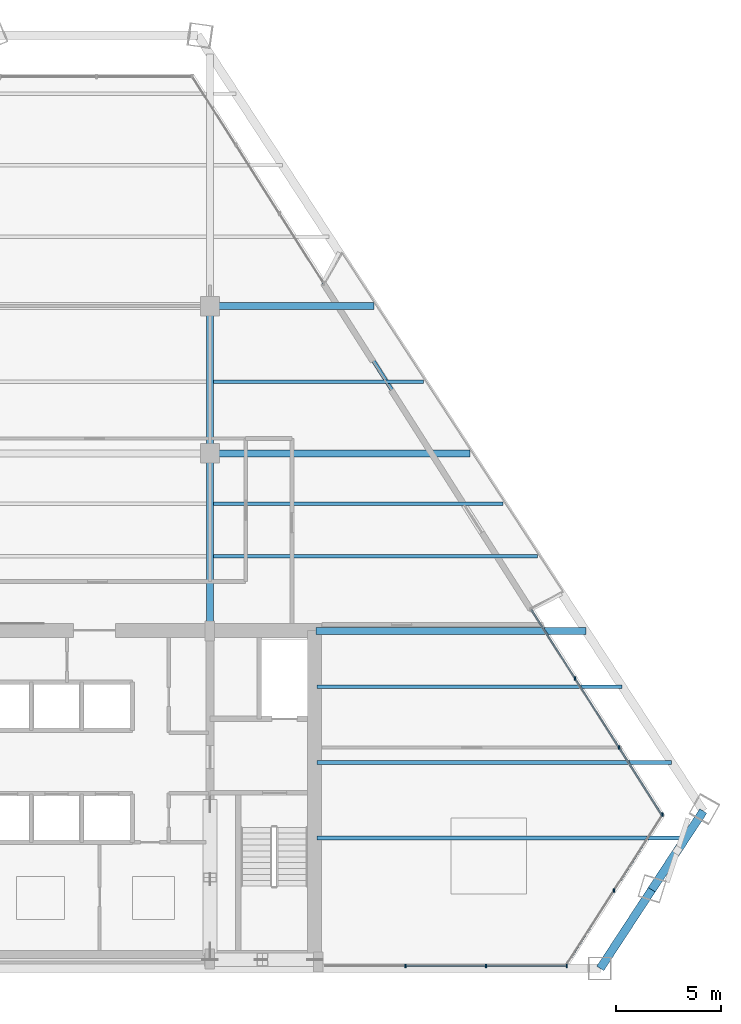
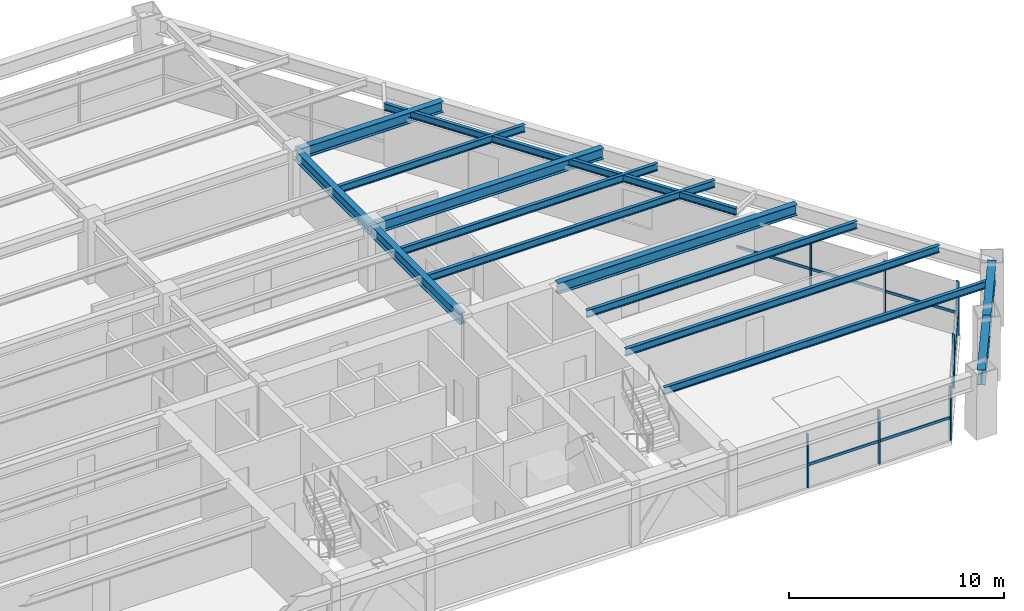
# One storey, part 6 of 15: 14 beams, 14 members, 3 elements without a shape of their own.
"""IFC4 building model written with IfcOpenShell, lengths in metres."""

from ifc_helpers import new_model, si_unit, direction, frame, origin, origin_2d, place, context, subcontext, project, spatial, rectangle, i_section, extrude, source, transform, mapped, material, material_profile, profile_set, type_object, type_shapes, element, aggregate, save


model = new_model("IFC4")

# Units and contexts
model_context = context("Model", 3, precision=1e-05, world=origin(), true_north=direction((0.0, 1.0)))
body_context = subcontext(model_context, "Body", "Model", "MODEL_VIEW")
ifc_project = project(units=[si_unit("LENGTHUNIT", "METRE"), si_unit("AREAUNIT", "SQUARE_METRE"), si_unit("VOLUMEUNIT", "CUBIC_METRE"), si_unit("PLANEANGLEUNIT", "RADIAN"), si_unit("MASSUNIT", "GRAM", prefix="KILO")], contexts=[model_context])

# Site, building, storey
site_placement = place(None, origin())
site = spatial("IfcSite", under=ifc_project, at=site_placement, CompositionType="ELEMENT")
building_placement = place(site_placement, origin())
building = spatial("IfcBuilding", under=site, at=building_placement, Name="Varnakhor Terracotta Tower", CompositionType="ELEMENT")
storey_placement = place(building_placement, frame((0.0, 0.0, 155.199951171875)))
storey = spatial("IfcBuildingStorey", under=building, at=storey_placement, Name="L39", CompositionType="ELEMENT", Elevation=155.199951171875)

# Beams
ifc_material_1 = material(Name="Steel S355", Category="steel")
ifc_material_profile_1 = material_profile(ifc_material_1, i_section(OverallWidth=0.324951171875, OverallDepth=0.615966796875, WebThickness=0.013916015625, FlangeThickness=0.02197265625, FilletRadius=0.01806640625, at=origin_2d()), Name="W24X117")
ifc_profile_set_1 = profile_set([ifc_material_profile_1], Name="Steel S355")
beam_type_1 = type_object("IfcBeamType", Name="BM-W24X117", PredefinedType="BEAM", material=ifc_profile_set_1)
shared_shape_1 = source(origin(), body_context, "Body", "SweptSolid", [
    extrude(i_section(OverallWidth=0.324951171875, OverallDepth=0.615966796875, WebThickness=0.013916015625, FlangeThickness=0.02197265625, FilletRadius=0.01806640625, at=origin_2d()), origin(), (0.0, 0.0, 1.0), 8.449951171875),
])
type_shapes(beam_type_1, [shared_shape_1])
beam_1_placement = place(storey_placement, frame((5.5, 16.050048828125, 3.162109375), z_axis=(0.0, 1.0, 0.0), x_axis=(-1.0, 0.0, 0.0)))
element("IfcBeam", 1, at=beam_1_placement, inside=storey, type_object=beam_type_1, Name="L39 Primary Girder NS1-E", PredefinedType="BEAM", context=body_context, shape_type="MappedRepresentation", body=[
    mapped(shared_shape_1, transform((0.0, 0.0, 0.0), scale=1.0)),
])
shared_shape_2 = source(origin(), body_context, "Body", "SweptSolid", [
    extrude(i_section(OverallWidth=0.324951171875, OverallDepth=0.615966796875, WebThickness=0.013916015625, FlangeThickness=0.02197265625, FilletRadius=0.01806640625, at=origin_2d()), origin(), (0.0, 0.0, 1.0), 7.0),
])
beam_2_placement = place(storey_placement, frame((5.5, 24.5, 3.162109375), z_axis=(0.0, 1.0, 0.0), x_axis=(-1.0, 0.0, 0.0)))
element("IfcBeam", 2, at=beam_2_placement, inside=storey, type_object=beam_type_1, Name="L39 Primary Girder NS2-E", PredefinedType="BEAM", context=body_context, shape_type="MappedRepresentation", body=[
    mapped(shared_shape_2, transform((0.0, 0.0, 0.0), scale=1.0)),
])
ifc_material_profile_2 = material_profile(ifc_material_1, i_section(OverallWidth=0.39990234375, OverallDepth=0.85498046875, WebThickness=0.01806640625, FlangeThickness=0.029052734375, FilletRadius=0.01806640625, at=origin_2d()), Name="W33X201")
ifc_profile_set_2 = profile_set([ifc_material_profile_2], Name="Steel S355")
beam_type_2 = type_object("IfcBeamType", Name="BM-W33X201", PredefinedType="BEAM", material=ifc_profile_set_2)
shared_shape_3 = source(origin(), body_context, "Body", "SweptSolid", [
    extrude(i_section(OverallWidth=0.39990234375, OverallDepth=0.85498046875, WebThickness=0.01806640625, FlangeThickness=0.029052734375, FilletRadius=0.01806640625, at=origin_2d()), origin(), (0.0, 0.0, 1.0), 4.472900390625),
])
beam_3_placement = place(storey_placement, frame((24.063720703125, 0.0, 3.04248046875), z_axis=(0.547740459229, 0.836648306832, 0.0), x_axis=(-0.836648306832, 0.547740459229, 0.0)))
element("IfcBeam", 3, at=beam_3_placement, inside=storey, type_object=beam_type_2, Name="L39 Perimeter Spandrel 2", PredefinedType="BEAM", context=body_context, shape_type="MappedRepresentation", body=[
    mapped(shared_shape_3, transform((0.0, 0.0, 0.0), scale=1.0)),
])
shared_shape_4 = source(origin(), body_context, "Body", "SweptSolid", [
    extrude(i_section(OverallWidth=0.39990234375, OverallDepth=0.85498046875, WebThickness=0.01806640625, FlangeThickness=0.029052734375, FilletRadius=0.01806640625, at=origin_2d()), origin(), (0.0, 0.0, 1.0), 4.47265625),
])
beam_4_placement = place(storey_placement, frame((26.513671875, 3.7421875, 3.04248046875), z_axis=(0.547702250482, 0.836673320249, 0.0), x_axis=(-0.836673320249, 0.547702250482, 0.0)))
element("IfcBeam", 4, at=beam_4_placement, inside=storey, type_object=beam_type_2, Name="L39 Perimeter Spandrel 3", PredefinedType="BEAM", context=body_context, shape_type="MappedRepresentation", body=[
    mapped(shared_shape_4, transform((0.0, 0.0, 0.0), scale=1.0)),
])
ifc_material_profile_3 = material_profile(ifc_material_1, i_section(OverallWidth=0.179931640625, OverallDepth=0.39990234375, WebThickness=0.008544921875, FlangeThickness=0.013427734375, FilletRadius=0.01806640625, at=origin_2d()), Name="IPE400")
ifc_profile_set_3 = profile_set([ifc_material_profile_3], Name="Steel S355")
beam_type_3 = type_object("IfcBeamType", Name="JST-IPE400", PredefinedType="JOIST", material=ifc_profile_set_3)
shared_shape_5 = source(origin(), body_context, "Body", "SweptSolid", [
    extrude(i_section(OverallWidth=0.179931640625, OverallDepth=0.39990234375, WebThickness=0.008544921875, FlangeThickness=0.013427734375, FilletRadius=0.01806640625, at=origin_2d()), origin(), (0.0, 0.0, 1.0), 18.443359375),
])
beam_5_placement = place(storey_placement, frame((20.785400390625, 17.078857421875, 3.27001953125), z_axis=(-0.536444584594, 0.8439355471, 0.0), x_axis=(-0.8439355471, -0.536444584594, 0.0)))
element("IfcBeam", 5, at=beam_5_placement, inside=storey, type_object=beam_type_3, Name="L39 Loggia Edge Beam 1", PredefinedType="JOIST", context=body_context, shape_type="MappedRepresentation", body=[
    mapped(shared_shape_5, transform((0.0, 0.0, 0.0), scale=1.0)),
])
shared_shape_6 = source(origin(), body_context, "Body", "SweptSolid", [
    extrude(i_section(OverallWidth=0.324951171875, OverallDepth=0.615966796875, WebThickness=0.013916015625, FlangeThickness=0.02197265625, FilletRadius=0.01806640625, at=origin_2d()), origin(), (0.0, 0.0, 1.0), 12.8310546875),
])
beam_6_placement = place(storey_placement, frame((10.550048828125, 16.050048828125, 3.162109375), z_axis=(1.0, 0.0, 0.0), x_axis=(0.0, 1.0, 0.0)))
element("IfcBeam", 6, at=beam_6_placement, inside=storey, type_object=beam_type_1, Name="L39 Wing Girder E", PredefinedType="BEAM", context=body_context, shape_type="MappedRepresentation", body=[
    mapped(shared_shape_6, transform((0.0, 0.0, 0.0), scale=1.0)),
])
shared_shape_7 = source(origin(), body_context, "Body", "SweptSolid", [
    extrude(i_section(OverallWidth=0.324951171875, OverallDepth=0.615966796875, WebThickness=0.013916015625, FlangeThickness=0.02197265625, FilletRadius=0.01806640625, at=origin_2d()), origin(), (0.0, 0.0, 1.0), 12.3740234375),
])
beam_7_placement = place(storey_placement, frame((5.5, 24.5, 3.162109375), z_axis=(1.0, 0.0, 0.0), x_axis=(0.0, 1.0, 0.0)))
element("IfcBeam", 7, at=beam_7_placement, inside=storey, type_object=beam_type_1, Name="L39 Primary Girder EW2-3", PredefinedType="BEAM", context=body_context, shape_type="MappedRepresentation", body=[
    mapped(shared_shape_7, transform((0.0, 0.0, 0.0), scale=1.0)),
])
shared_shape_8 = source(origin(), body_context, "Body", "SweptSolid", [
    extrude(i_section(OverallWidth=0.324951171875, OverallDepth=0.615966796875, WebThickness=0.013916015625, FlangeThickness=0.02197265625, FilletRadius=0.01806640625, at=origin_2d()), origin(), (0.0, 0.0, 1.0), 7.81201171875),
])
beam_8_placement = place(storey_placement, frame((5.5, 31.5, 3.162109375), z_axis=(1.0, 0.0, 0.0), x_axis=(0.0, 1.0, 0.0)))
element("IfcBeam", 8, at=beam_8_placement, inside=storey, type_object=beam_type_1, Name="L39 Primary Girder EW3-3", PredefinedType="BEAM", context=body_context, shape_type="MappedRepresentation", body=[
    mapped(shared_shape_8, transform((0.0, 0.0, 0.0), scale=1.0)),
])
ifc_material_profile_4 = material_profile(ifc_material_1, i_section(OverallWidth=0.179931640625, OverallDepth=0.4130859375, WebThickness=0.009765625, FlangeThickness=0.01611328125, FilletRadius=0.01806640625, at=origin_2d()), Name="W16X50")
ifc_profile_set_4 = profile_set([ifc_material_profile_4], Name="Steel S355")
beam_type_4 = type_object("IfcBeamType", Name="JST-W16X50", PredefinedType="JOIST", material=ifc_profile_set_4)
shared_shape_9 = source(origin(), body_context, "Body", "SweptSolid", [
    extrude(i_section(OverallWidth=0.179931640625, OverallDepth=0.4130859375, WebThickness=0.009765625, FlangeThickness=0.01611328125, FilletRadius=0.01806640625, at=origin_2d()), origin(), (0.0, 0.0, 1.0), 17.522705078125),
])
beam_9_placement = place(storey_placement, frame((10.60009765625, 6.199951171875, 3.263427734375), z_axis=(1.0, 0.0, 0.0), x_axis=(0.0, 1.0, 0.0)))
element("IfcBeam", 9, at=beam_9_placement, inside=storey, type_object=beam_type_4, Name="L39 Floor Joist E1", PredefinedType="JOIST", context=body_context, shape_type="MappedRepresentation", body=[
    mapped(shared_shape_9, transform((0.0, 0.0, 0.0), scale=1.0)),
])
shared_shape_10 = source(origin(), body_context, "Body", "SweptSolid", [
    extrude(i_section(OverallWidth=0.179931640625, OverallDepth=0.4130859375, WebThickness=0.009765625, FlangeThickness=0.01611328125, FilletRadius=0.01806640625, at=origin_2d()), origin(), (0.0, 0.0, 1.0), 16.854248046875),
])
beam_10_placement = place(storey_placement, frame((10.60009765625, 9.800048828125, 3.263427734375), z_axis=(1.0, 0.0, 0.0), x_axis=(0.0, 1.0, 0.0)))
element("IfcBeam", 10, at=beam_10_placement, inside=storey, type_object=beam_type_4, Name="L39 Floor Joist E2", PredefinedType="JOIST", context=body_context, shape_type="MappedRepresentation", body=[
    mapped(shared_shape_10, transform((0.0, 0.0, 0.0), scale=1.0)),
])
shared_shape_11 = source(origin(), body_context, "Body", "SweptSolid", [
    extrude(i_section(OverallWidth=0.179931640625, OverallDepth=0.4130859375, WebThickness=0.009765625, FlangeThickness=0.01611328125, FilletRadius=0.01806640625, at=origin_2d()), origin(), (0.0, 0.0, 1.0), 14.508056640625),
])
beam_11_placement = place(storey_placement, frame((10.60009765625, 13.39990234375, 3.263427734375), z_axis=(1.0, 0.0, 0.0), x_axis=(0.0, 1.0, 0.0)))
element("IfcBeam", 11, at=beam_11_placement, inside=storey, type_object=beam_type_4, Name="L39 Floor Joist E3", PredefinedType="JOIST", context=body_context, shape_type="MappedRepresentation", body=[
    mapped(shared_shape_11, transform((0.0, 0.0, 0.0), scale=1.0)),
])
shared_shape_12 = source(origin(), body_context, "Body", "SweptSolid", [
    extrude(i_section(OverallWidth=0.179931640625, OverallDepth=0.4130859375, WebThickness=0.009765625, FlangeThickness=0.01611328125, FilletRadius=0.01806640625, at=origin_2d()), origin(), (0.0, 0.0, 1.0), 15.408935546875),
])
beam_12_placement = place(storey_placement, frame((5.658447265625, 19.60009765625, 3.263427734375), z_axis=(1.0, 0.0, 0.0), x_axis=(0.0, 1.0, 0.0)))
element("IfcBeam", 12, at=beam_12_placement, inside=storey, type_object=beam_type_4, Name="L39 Composite Floor Joist 4-3", PredefinedType="JOIST", context=body_context, shape_type="MappedRepresentation", body=[
    mapped(shared_shape_12, transform((0.0, 0.0, 0.0), scale=1.0)),
])
shared_shape_13 = source(origin(), body_context, "Body", "SweptSolid", [
    extrude(i_section(OverallWidth=0.179931640625, OverallDepth=0.4130859375, WebThickness=0.009765625, FlangeThickness=0.01611328125, FilletRadius=0.01806640625, at=origin_2d()), origin(), (0.0, 0.0, 1.0), 13.77978515625),
])
beam_13_placement = place(storey_placement, frame((5.658447265625, 22.10009765625, 3.263427734375), z_axis=(1.0, 0.0, 0.0), x_axis=(0.0, 1.0, 0.0)))
element("IfcBeam", 13, at=beam_13_placement, inside=storey, type_object=beam_type_4, Name="L39 Composite Floor Joist 5-3", PredefinedType="JOIST", context=body_context, shape_type="MappedRepresentation", body=[
    mapped(shared_shape_13, transform((0.0, 0.0, 0.0), scale=1.0)),
])
shared_shape_14 = source(origin(), body_context, "Body", "SweptSolid", [
    extrude(i_section(OverallWidth=0.179931640625, OverallDepth=0.4130859375, WebThickness=0.009765625, FlangeThickness=0.01611328125, FilletRadius=0.01806640625, at=origin_2d()), origin(), (0.0, 0.0, 1.0), 9.999755859375),
])
beam_14_placement = place(storey_placement, frame((5.658447265625, 27.89990234375, 3.263427734375), z_axis=(1.0, 0.0, 0.0), x_axis=(0.0, 1.0, 0.0)))
element("IfcBeam", 14, at=beam_14_placement, inside=storey, type_object=beam_type_4, Name="L39 Composite Floor Joist 6-3", PredefinedType="JOIST", context=body_context, shape_type="MappedRepresentation", body=[
    mapped(shared_shape_14, transform((0.0, 0.0, 0.0), scale=1.0)),
])

# Curtain wall, members
ifc_material_2 = material(Name="Anodised Aluminium Curtain Wall System", Category="aluminium")
curtain_wall_type = type_object("IfcCurtainWallType", Name="CW-SYS-MID-OFFICE", PredefinedType="NOTDEFINED", material=ifc_material_2)
curtain_wall_1_placement = place(storey_placement, origin())
curtain_wall_1 = element("IfcCurtainWall", 15, at=curtain_wall_1_placement, inside=storey, type_object=curtain_wall_type, Name="L39 E Facet Curtain Wall 2", PredefinedType="NOTDEFINED")
ifc_material_3 = material(Name="Anodised Aluminium 6063-T6", Category="aluminium")
ifc_material_profile_5 = material_profile(ifc_material_3, rectangle(XDim=0.070068359375, YDim=0.175048828125, at=origin_2d()), Name="ALU MULLION 70x175")
ifc_profile_set_5 = profile_set([ifc_material_profile_5], Name="Anodised Aluminium 6063-T6")
member_type_1 = type_object("IfcMemberType", Name="CWM-03", PredefinedType="MULLION", material=ifc_profile_set_5)
shared_shape_15 = source(origin(), body_context, "Body", "SweptSolid", [
    extrude(rectangle(XDim=0.070068359375, YDim=0.175048828125, at=origin_2d()), origin(), (0.0, 0.0, 1.0), 3.050048828125),
])
member_1_placement = place(storey_placement, frame((22.867431640625, 13.788818359375, 0.0), z_axis=(0.0, 0.0, 1.0), x_axis=(1.0, 0.0, 0.0)))
member_1 = element("IfcMember", 16, at=member_1_placement, type_object=member_type_1, Name="L39 E Facet Curtain Wall 2 Mullion 2", PredefinedType="MULLION", context=body_context, shape_type="MappedRepresentation", body=[
    mapped(shared_shape_15, transform((0.0, 0.0, 0.0), scale=1.0)),
])
member_2_placement = place(storey_placement, frame((24.948974609375, 10.515380859375, 0.0), z_axis=(0.0, 0.0, 1.0), x_axis=(1.0, 0.0, 0.0)))
member_2 = element("IfcMember", 17, at=member_2_placement, type_object=member_type_1, Name="L39 E Facet Curtain Wall 2 Mullion 3", PredefinedType="MULLION", context=body_context, shape_type="MappedRepresentation", body=[
    mapped(shared_shape_15, transform((0.0, 0.0, 0.0), scale=1.0)),
])

curtain_wall_2_placement = place(storey_placement, origin())
curtain_wall_2 = element("IfcCurtainWall", 18, at=curtain_wall_2_placement, inside=storey, type_object=curtain_wall_type, Name="L39 Facet Curtain Wall 4", PredefinedType="NOTDEFINED")
member_3_placement = place(storey_placement, frame((27.03076171875, 7.32080078125, 0.0), z_axis=(0.0, 0.0, 1.0), x_axis=(1.0, 0.0, 0.0)))
member_3 = element("IfcMember", 19, at=member_3_placement, type_object=member_type_1, Name="L39 Facet Curtain Wall 4 Mullion 1", PredefinedType="MULLION", context=body_context, shape_type="MappedRepresentation", body=[
    mapped(shared_shape_15, transform((0.0, 0.0, 0.0), scale=1.0)),
])
member_4_placement = place(storey_placement, frame((24.712646484375, 3.705322265625, 0.0), z_axis=(0.0, 0.0, 1.0), x_axis=(1.0, 0.0, 0.0)))
member_4 = element("IfcMember", 20, at=member_4_placement, type_object=member_type_1, Name="L39 Facet Curtain Wall 4 Mullion 2", PredefinedType="MULLION", context=body_context, shape_type="MappedRepresentation", body=[
    mapped(shared_shape_15, transform((0.0, 0.0, 0.0), scale=1.0)),
])

curtain_wall_3_placement = place(storey_placement, origin())
curtain_wall_3 = element("IfcCurtainWall", 21, at=curtain_wall_3_placement, inside=storey, type_object=curtain_wall_type, Name="L39 South Wing Curtain Wall SSE", PredefinedType="NOTDEFINED")
member_5_placement = place(storey_placement, frame((22.46923828125, 0.1201171875, 0.0), z_axis=(0.0, 0.0, 1.0), x_axis=(1.0, 0.0, 0.0)))
member_5 = element("IfcMember", 22, at=member_5_placement, type_object=member_type_1, Name="L39 South Wing Curtain Wall SSE Mullion 1", PredefinedType="MULLION", context=body_context, shape_type="MappedRepresentation", body=[
    mapped(shared_shape_15, transform((0.0, 0.0, 0.0), scale=1.0)),
])
member_6_placement = place(storey_placement, frame((18.63623046875, 0.1201171875, 0.0), z_axis=(0.0, 0.0, 1.0), x_axis=(1.0, 0.0, 0.0)))
member_6 = element("IfcMember", 23, at=member_6_placement, type_object=member_type_1, Name="L39 South Wing Curtain Wall SSE Mullion 2", PredefinedType="MULLION", context=body_context, shape_type="MappedRepresentation", body=[
    mapped(shared_shape_15, transform((0.0, 0.0, 0.0), scale=1.0)),
])
member_7_placement = place(storey_placement, frame((14.802978515625, 0.1201171875, 0.0), z_axis=(0.0, 0.0, 1.0), x_axis=(1.0, 0.0, 0.0)))
member_7 = element("IfcMember", 24, at=member_7_placement, type_object=member_type_1, Name="L39 South Wing Curtain Wall SSE Mullion 3", PredefinedType="MULLION", context=body_context, shape_type="MappedRepresentation", body=[
    mapped(shared_shape_15, transform((0.0, 0.0, 0.0), scale=1.0)),
])

# Member
ifc_material_profile_6 = material_profile(ifc_material_3, rectangle(XDim=0.070068359375, YDim=0.155029296875, at=origin_2d()), Name="ALU TRANSOM 70x155")
ifc_profile_set_6 = profile_set([ifc_material_profile_6], Name="Anodised Aluminium 6063-T6")
member_type_2 = type_object("IfcMemberType", Name="CWT-03", PredefinedType="USERDEFINED", material=ifc_profile_set_6)
shared_shape_16 = source(origin(), body_context, "Body", "SweptSolid", [
    extrude(rectangle(XDim=0.070068359375, YDim=0.155029296875, at=origin_2d()), origin(), (0.0, 0.0, 1.0), 3.879150390625),
])
member_8_placement = place(storey_placement, frame((20.785888671875, 17.062255859375, 1.281005859375), z_axis=(0.536590399516, -0.843842842683, 0.0), x_axis=(0.843842842683, 0.536590399516, 0.0)))
member_8 = element("IfcMember", 25, at=member_8_placement, type_object=member_type_2, Name="L39 E Facet Curtain Wall 2 Transom 1", ObjectType="TRANSOM", PredefinedType="USERDEFINED", context=body_context, shape_type="MappedRepresentation", body=[
    mapped(shared_shape_16, transform((0.0, 0.0, 0.0), scale=1.0)),
])

member_9_placement = place(storey_placement, frame((22.867431640625, 13.788818359375, 1.281005859375), z_axis=(0.536590399516, -0.843842842683, 0.0), x_axis=(0.843842842683, 0.536590399516, 0.0)))
member_9 = element("IfcMember", 26, at=member_9_placement, type_object=member_type_2, Name="L39 E Facet Curtain Wall 2 Transom 2", ObjectType="TRANSOM", PredefinedType="USERDEFINED", context=body_context, shape_type="MappedRepresentation", body=[
    mapped(shared_shape_16, transform((0.0, 0.0, 0.0), scale=1.0)),
])

shared_shape_17 = source(origin(), body_context, "Body", "SweptSolid", [
    extrude(rectangle(XDim=0.070068359375, YDim=0.155029296875, at=origin_2d()), origin(), (0.0, 0.0, 1.0), 3.87890625),
])
member_10_placement = place(storey_placement, frame((24.948974609375, 10.515380859375, 1.281005859375), z_axis=(0.536618897914, -0.843824720189, 0.0), x_axis=(0.843824720189, 0.536618897914, 0.0)))
member_10 = element("IfcMember", 27, at=member_10_placement, type_object=member_type_2, Name="L39 E Facet Curtain Wall 2 Transom 3", ObjectType="TRANSOM", PredefinedType="USERDEFINED", context=body_context, shape_type="MappedRepresentation", body=[
    mapped(shared_shape_17, transform((0.0, 0.0, 0.0), scale=1.0)),
])

aggregate(curtain_wall_1, [member_8, member_1, member_9, member_2, member_10])

shared_shape_18 = source(origin(), body_context, "Body", "SweptSolid", [
    extrude(rectangle(XDim=0.070068359375, YDim=0.155029296875, at=origin_2d()), origin(), (0.0, 0.0, 1.0), 4.294921875),
])
member_11_placement = place(storey_placement, frame((27.03076171875, 7.32080078125, 1.281005859375), z_axis=(-0.539748758067, -0.841826156736, 0.0), x_axis=(0.841826156736, -0.539748758067, 0.0)))
member_11 = element("IfcMember", 28, at=member_11_placement, type_object=member_type_2, Name="L39 Facet Curtain Wall 4 Transom 1", ObjectType="TRANSOM", PredefinedType="USERDEFINED", context=body_context, shape_type="MappedRepresentation", body=[
    mapped(shared_shape_18, transform((0.0, 0.0, 0.0), scale=1.0)),
])

shared_shape_19 = source(origin(), body_context, "Body", "SweptSolid", [
    extrude(rectangle(XDim=0.070068359375, YDim=0.155029296875, at=origin_2d()), origin(), (0.0, 0.0, 1.0), 4.294677734375),
])
member_12_placement = place(storey_placement, frame((24.712646484375, 3.705322265625, 1.281005859375), z_axis=(-0.539774588237, -0.841809594798, 0.0), x_axis=(0.841809594798, -0.539774588237, 0.0)))
member_12 = element("IfcMember", 29, at=member_12_placement, type_object=member_type_2, Name="L39 Facet Curtain Wall 4 Transom 2", ObjectType="TRANSOM", PredefinedType="USERDEFINED", context=body_context, shape_type="MappedRepresentation", body=[
    mapped(shared_shape_19, transform((0.0, 0.0, 0.0), scale=1.0)),
])

aggregate(curtain_wall_2, [member_3, member_11, member_4, member_12])

shared_shape_20 = source(origin(), body_context, "Body", "SweptSolid", [
    extrude(rectangle(XDim=0.070068359375, YDim=0.155029296875, at=origin_2d()), origin(), (0.0, 0.0, 1.0), 3.8330078125),
])
member_13_placement = place(storey_placement, frame((22.46923828125, 0.1201171875, 1.281005859375), z_axis=(-1.0, 0.0, 0.0), x_axis=(0.0, -1.0, 0.0)))
member_13 = element("IfcMember", 30, at=member_13_placement, type_object=member_type_2, Name="L39 South Wing Curtain Wall SSE Transom 1", ObjectType="TRANSOM", PredefinedType="USERDEFINED", context=body_context, shape_type="MappedRepresentation", body=[
    mapped(shared_shape_20, transform((0.0, 0.0, 0.0), scale=1.0)),
])

shared_shape_21 = source(origin(), body_context, "Body", "SweptSolid", [
    extrude(rectangle(XDim=0.070068359375, YDim=0.155029296875, at=origin_2d()), origin(), (0.0, 0.0, 1.0), 3.833251953125),
])
member_14_placement = place(storey_placement, frame((18.63623046875, 0.1201171875, 1.281005859375), z_axis=(-1.0, 0.0, 0.0), x_axis=(0.0, -1.0, 0.0)))
member_14 = element("IfcMember", 31, at=member_14_placement, type_object=member_type_2, Name="L39 South Wing Curtain Wall SSE Transom 2", ObjectType="TRANSOM", PredefinedType="USERDEFINED", context=body_context, shape_type="MappedRepresentation", body=[
    mapped(shared_shape_21, transform((0.0, 0.0, 0.0), scale=1.0)),
])

aggregate(curtain_wall_3, [member_5, member_13, member_6, member_14, member_7])

save(model, "model.ifc")
